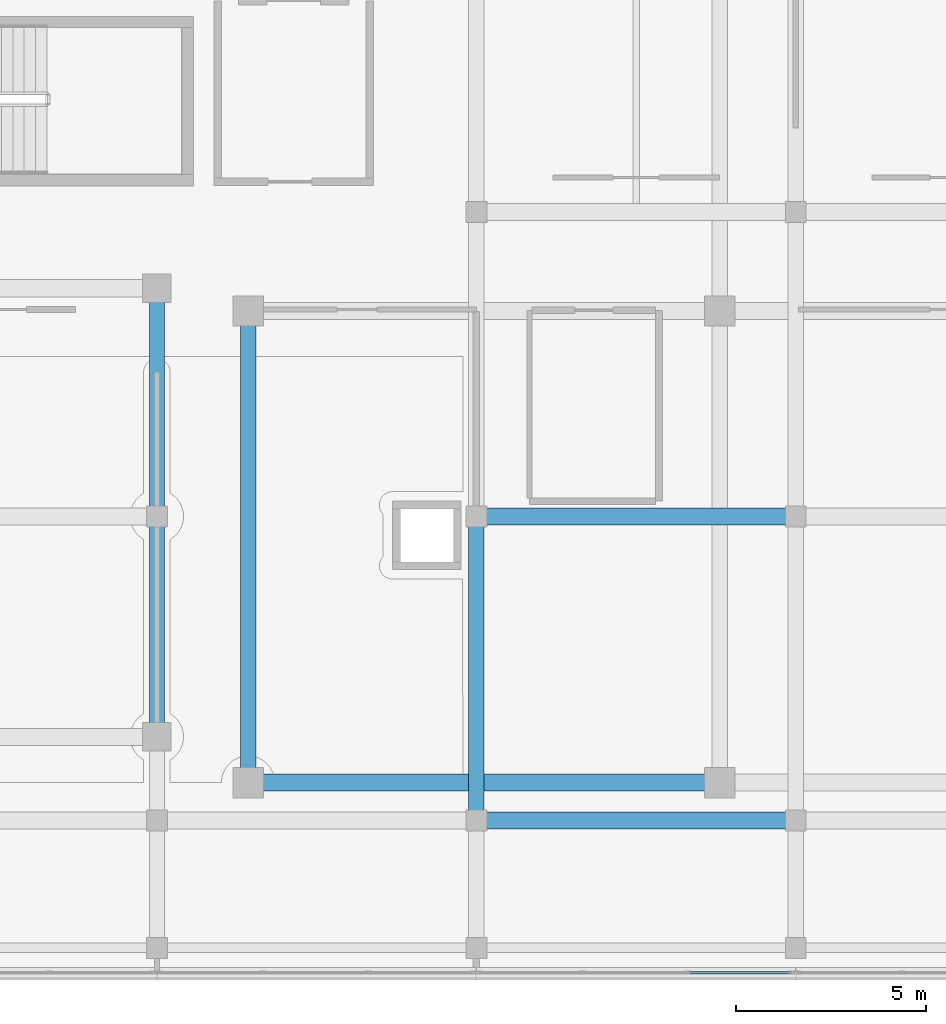
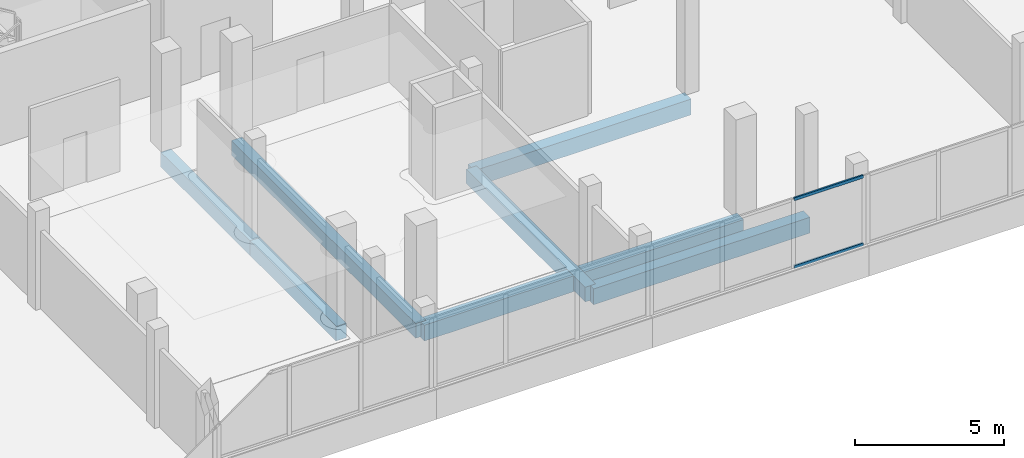
# One storey, part 15 of 66: 7 beams, 2 members, 1 element without a shape of its own.
"""IFC4 building model written with IfcOpenShell, lengths in metres."""

from ifc_helpers import new_model, si_unit, direction, frame, origin, origin_2d, place, context, subcontext, project, spatial, rectangle, hollow_rectangle, extrude, material, material_profile, profile_set, type_object, element, aggregate, save


model = new_model("IFC4")

# Units and contexts
model_context = context("Model", 3, precision=1e-05, world=origin(), true_north=direction((0.0, 1.0)))
body_context = subcontext(model_context, "Body", "Model", "MODEL_VIEW")
ifc_project = project(units=[si_unit("LENGTHUNIT", "METRE"), si_unit("AREAUNIT", "SQUARE_METRE"), si_unit("VOLUMEUNIT", "CUBIC_METRE"), si_unit("PLANEANGLEUNIT", "RADIAN"), si_unit("MASSUNIT", "GRAM", prefix="KILO")], contexts=[model_context])

# Site, building, storey
site_placement = place(None, origin())
site = spatial("IfcSite", under=ifc_project, at=site_placement, CompositionType="ELEMENT")
building_placement = place(site_placement, origin())
building = spatial("IfcBuilding", under=site, at=building_placement, Name="Selatvlak General Hospital", CompositionType="ELEMENT")
storey_placement = place(building_placement, frame((0.0, 0.0, 31.35009765625)))
storey = spatial("IfcBuildingStorey", under=building, at=storey_placement, Name="L07", CompositionType="ELEMENT", Elevation=31.35009765625)

# Beams
ifc_material_1 = material(Name="Concrete C40/50", Category="concrete")
ifc_material_profile_1 = material_profile(ifc_material_1, rectangle(XDim=0.449951171875, YDim=0.64990234375, at=origin_2d()), Name="RC-BM 450x650")
ifc_profile_set_1 = profile_set([ifc_material_profile_1], Name="Concrete C40/50")
beam_type_1 = type_object("IfcBeamType", Name="BM-G04", PredefinedType="BEAM", material=ifc_profile_set_1)
beam_1_placement = place(storey_placement, frame((64.800048828125, 92.0, -0.59521484375), z_axis=(1.0, 0.0, 0.0), x_axis=(0.0, 1.0, 0.0)))
element("IfcBeam", 1, at=beam_1_placement, inside=storey, type_object=beam_type_1, Name="Beam BMR-L07-2386", PredefinedType="BEAM", context=body_context, shape_type="SweptSolid", body=[
    extrude(rectangle(XDim=0.449951171875, YDim=0.64990234375, at=origin_2d()), origin(), (0.0, 0.0, 1.0), 8.39990234375),
])
beam_2_placement = place(storey_placement, frame((58.800048828125, 93.0, -0.59521484375), z_axis=(1.0, 0.0, 0.0), x_axis=(0.0, 1.0, 0.0)))
element("IfcBeam", 2, at=beam_2_placement, inside=storey, type_object=beam_type_1, Name="Beam BMR-L07-2401", PredefinedType="BEAM", context=body_context, shape_type="SweptSolid", body=[
    extrude(rectangle(XDim=0.449951171875, YDim=0.64990234375, at=origin_2d()), origin(), (0.0, 0.0, 1.0), 12.39990234375),
])
beam_3_placement = place(storey_placement, frame((64.800048828125, 100.0, -0.59521484375), z_axis=(1.0, 0.0, 0.0), x_axis=(0.0, 1.0, 0.0)))
element("IfcBeam", 3, at=beam_3_placement, inside=storey, type_object=beam_type_1, Name="Beam BMR-L07-2407", PredefinedType="BEAM", context=body_context, shape_type="SweptSolid", body=[
    extrude(rectangle(XDim=0.449951171875, YDim=0.64990234375, at=origin_2d()), origin(), (0.0, 0.0, 1.0), 8.39990234375),
])
ifc_material_profile_2 = material_profile(ifc_material_1, rectangle(XDim=0.39990234375, YDim=0.60009765625, at=origin_2d()), Name="RC-BM 400x600")
ifc_profile_set_2 = profile_set([ifc_material_profile_2], Name="Concrete C40/50")
beam_type_2 = type_object("IfcBeamType", Name="BM-G05", PredefinedType="BEAM", material=ifc_profile_set_2)
beam_4_placement = place(storey_placement, frame((56.39990234375, 94.199951171875, -0.570068359375), z_axis=(0.0, 1.0, 0.0), x_axis=(-1.0, 0.0, 0.0)))
element("IfcBeam", 4, at=beam_4_placement, inside=storey, type_object=beam_type_2, Name="Beam BMR-L07-2475", PredefinedType="BEAM", context=body_context, shape_type="SweptSolid", body=[
    extrude(rectangle(XDim=0.39990234375, YDim=0.60009765625, at=origin_2d()), origin(), (0.0, 0.0, 1.0), 5.800048828125),
])
beam_5_placement = place(storey_placement, frame((56.39990234375, 100.0, -0.570068359375), z_axis=(0.0, 1.0, 0.0), x_axis=(-1.0, 0.0, 0.0)))
element("IfcBeam", 5, at=beam_5_placement, inside=storey, type_object=beam_type_2, Name="Beam BMR-L07-2476", PredefinedType="BEAM", context=body_context, shape_type="SweptSolid", body=[
    extrude(rectangle(XDim=0.39990234375, YDim=0.60009765625, at=origin_2d()), origin(), (0.0, 0.0, 1.0), 6.0),
])
beam_6_placement = place(storey_placement, frame((58.800048828125, 93.0, -0.570068359375), z_axis=(0.0, 1.0, 0.0), x_axis=(-1.0, 0.0, 0.0)))
element("IfcBeam", 6, at=beam_6_placement, inside=storey, type_object=beam_type_2, Name="Beam BMR-L07-2478", PredefinedType="BEAM", context=body_context, shape_type="SweptSolid", body=[
    extrude(rectangle(XDim=0.39990234375, YDim=0.60009765625, at=origin_2d()), origin(), (0.0, 0.0, 1.0), 12.39990234375),
])
beam_7_placement = place(storey_placement, frame((64.800048828125, 92.0, -0.570068359375), z_axis=(0.0, 1.0, 0.0), x_axis=(-1.0, 0.0, 0.0)))
element("IfcBeam", 7, at=beam_7_placement, inside=storey, type_object=beam_type_2, Name="Beam BMR-L07-2480", PredefinedType="BEAM", context=body_context, shape_type="SweptSolid", body=[
    extrude(rectangle(XDim=0.39990234375, YDim=0.60009765625, at=origin_2d()), origin(), (0.0, 0.0, 1.0), 8.0),
])

# Curtain wall, members
ifc_material_2 = material(Name="Solar-control Low-E double glazing", Category="glass")
curtain_wall_type = type_object("IfcCurtainWallType", Name="CW-CW-02", PredefinedType="USERDEFINED", material=ifc_material_2)
curtain_wall_placement = place(storey_placement, origin())
curtain_wall = element("IfcCurtainWall", 8, at=curtain_wall_placement, inside=storey, type_object=curtain_wall_type, Name="Glazed facade curtain wall CW-L07-0674", ObjectType="UNITISED CURTAIN WALL", PredefinedType="USERDEFINED")
ifc_material_3 = material(Name="Dark anodised aluminium mullion", Category="aluminium")
ifc_material_profile_3 = material_profile(ifc_material_3, hollow_rectangle(XDim=0.06494140625, YDim=0.1201171875, WallThickness=0.00390625, at=origin_2d()), Name="AL-TRN 65x120x4")
ifc_profile_set_3 = profile_set([ifc_material_profile_3], Name="Dark anodised aluminium mullion")
member_type = type_object("IfcMemberType", Name="CWT-01", PredefinedType="USERDEFINED", material=ifc_profile_set_3)
member_1_placement = place(storey_placement, frame((73.070068359375, 88.0, 0.972412109375), z_axis=(-1.0, 0.0, 0.0), x_axis=(0.0, -1.0, 0.0)))
member_1 = element("IfcMember", 9, at=member_1_placement, type_object=member_type, Name="CW-02 transom 1.1", ObjectType="TRANSOM", PredefinedType="USERDEFINED", context=body_context, shape_type="SweptSolid", body=[
    extrude(hollow_rectangle(XDim=0.06494140625, YDim=0.1201171875, WallThickness=0.00390625, at=origin_2d()), origin(), (0.0, 0.0, 1.0), 2.67578125),
])
member_2_placement = place(storey_placement, frame((73.070068359375, 88.0, 3.75244140625), z_axis=(-1.0, 0.0, 0.0), x_axis=(0.0, -1.0, 0.0)))
member_2 = element("IfcMember", 10, at=member_2_placement, type_object=member_type, Name="CW-02 transom 1.2", ObjectType="TRANSOM", PredefinedType="USERDEFINED", context=body_context, shape_type="SweptSolid", body=[
    extrude(hollow_rectangle(XDim=0.06494140625, YDim=0.1201171875, WallThickness=0.00390625, at=origin_2d()), origin(), (0.0, 0.0, 1.0), 2.67578125),
])
aggregate(curtain_wall, [member_1, member_2])

save(model, "model.ifc")
